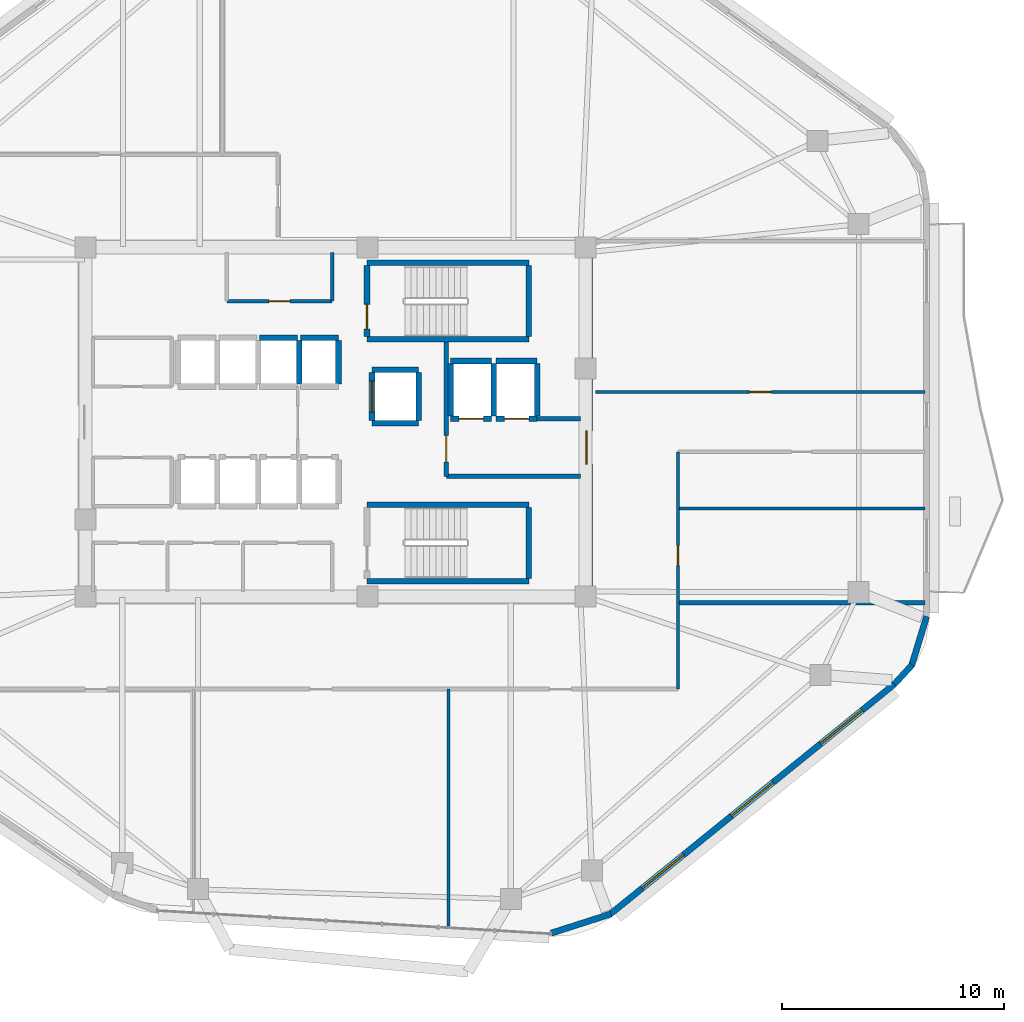
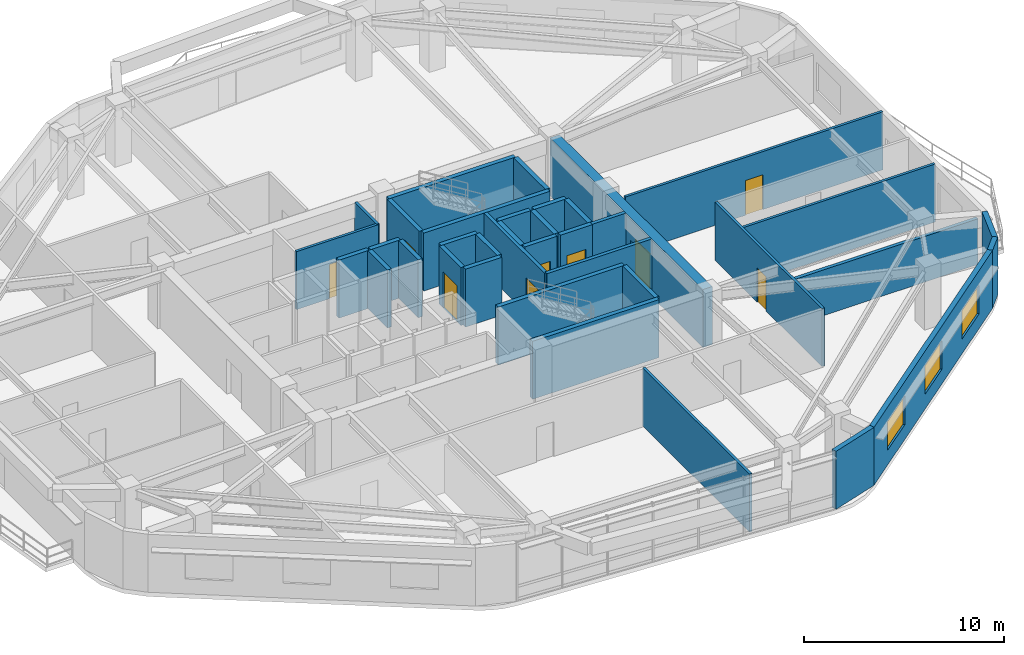
# One storey, part 10 of 14: 37 walls, 9 doors, 3 windows, 12 openings.
"""IFC4 building model written with IfcOpenShell, lengths in metres."""

import ifcopenshell
import ifcopenshell.guid

model = None  # the IFC model being written
_history = None  # IfcOwnerHistory: only IFC2X3 demands one
_inside = {}  # id of a spatial element -> (the spatial element, [elements in it])
_under = {}  # id of a project, library or spatial element -> (it, [spatial elements below it])
_declared = {}  # id of a project -> (the project, [libraries it declares])
_typed = {}  # id of a type object -> (the type object, [elements of that type])
_made_of = {}  # id of a material, layer set ... -> (it, [elements and type objects made of it])


def new_model(schema):
    """Start an empty IFC model of exactly this schema.

    Asked for "IFC4X3", IfcOpenShell would pick the latest addendum, in which some entities
    have other attributes; the version numbers below select the first issue.
    IFC2X3 requires an IfcOwnerHistory on every rooted entity: one is made here for all.
    """
    global model, _history
    if schema == "IFC4X3":
        model = ifcopenshell.file(schema_version=(4, 3, 0, 0))
    else:
        model = ifcopenshell.file(schema=schema)
    _inside.clear()
    _under.clear()
    _declared.clear()
    _typed.clear()
    _made_of.clear()
    _history = None
    if model.schema == "IFC2X3":
        org = make("IfcOrganization", Name="unknown")
        user = make(
            "IfcPersonAndOrganization",
            ThePerson=make("IfcPerson", FamilyName="unknown"),
            TheOrganization=org,
        )
        app = make(
            "IfcApplication",
            ApplicationDeveloper=org,
            Version="unknown",
            ApplicationFullName="unknown",
            ApplicationIdentifier="unknown",
        )
        _history = make(
            "IfcOwnerHistory",
            OwningUser=user,
            OwningApplication=app,
            ChangeAction="ADDED",
            CreationDate=0,
        )
    return model


def make(cls, **values):
    """One entity of the class cls with the attributes given. An attribute that is None is left unset."""
    return model.create_entity(
        cls, **{name: value for name, value in values.items() if value is not None}
    )


def rooted(cls, **values):
    """An entity with a GlobalId (a new one), such as an element, a storey or a relation."""
    return make(cls, GlobalId=ifcopenshell.guid.new(), OwnerHistory=_history, **values)


def si_unit(unit_type, name, prefix=None):
    """IfcSIUnit, for example si_unit("LENGTHUNIT", "METRE", prefix="MILLI")."""
    return make("IfcSIUnit", UnitType=unit_type, Prefix=prefix, Name=name)


def assignment(units):
    """IfcUnitAssignment: the units of a project."""
    return None if units is None else make("IfcUnitAssignment", Units=units)


def point(xyz):
    """IfcCartesianPoint."""
    return None if xyz is None else make("IfcCartesianPoint", Coordinates=xyz)


def direction(xyz):
    """IfcDirection."""
    return None if xyz is None else make("IfcDirection", DirectionRatios=xyz)


def frame(location, z_axis=None, x_axis=None):
    """IfcAxis2Placement3D, a coordinate frame: its origin and axes. An axis left out is left unset."""
    return make(
        "IfcAxis2Placement3D",
        Location=point(location),
        Axis=direction(z_axis),
        RefDirection=direction(x_axis),
    )


def frame_2d(location, x_axis=None):
    """IfcAxis2Placement2D, a coordinate frame in the plane: its origin and x axis."""
    return make(
        "IfcAxis2Placement2D", Location=point(location), RefDirection=direction(x_axis)
    )


def origin():
    """The frame at (0, 0, 0) with its axes left unset."""
    return frame((0.0, 0.0, 0.0))


def place(relative_to, where):
    """IfcLocalPlacement: puts the frame where relative to a parent placement (None: the world)."""
    return make(
        "IfcLocalPlacement", PlacementRelTo=relative_to, RelativePlacement=where
    )


def context(
    kind, dimensions, precision=None, world=None, true_north=None, identifier=None
):
    """IfcGeometricRepresentationContext, for example the 3D "Model" context."""
    return make(
        "IfcGeometricRepresentationContext",
        ContextIdentifier=identifier,
        ContextType=kind,
        CoordinateSpaceDimension=dimensions,
        Precision=precision,
        WorldCoordinateSystem=world,
        TrueNorth=true_north,
    )


def subcontext(parent, identifier, kind, view, scale=None):
    """IfcGeometricRepresentationSubContext, for example "Body" below "Model"."""
    return make(
        "IfcGeometricRepresentationSubContext",
        ContextIdentifier=identifier,
        ContextType=kind,
        ParentContext=parent,
        TargetScale=scale,
        TargetView=view,
    )


def project(units=None, contexts=None):
    """IfcProject with its units and contexts."""
    return rooted(
        "IfcProject",
        Name="project",
        RepresentationContexts=contexts,
        UnitsInContext=assignment(units),
    )


def spatial(cls, under=None, at=None, **own):
    """A site, building, storey or space (cls), placed at a placement, below another one or the project."""
    s = rooted(cls, ObjectPlacement=at, **own)
    if under is not None:
        _under.setdefault(under.id(), (under, []))[1].append(s)
    return s


def profile(cls, at=None, kind="AREA", **sizes):
    """A parametric profile (cls). Its sizes go by their IFC names, for example OverallWidth=200.0."""
    return make(cls, ProfileType=kind, Position=at, **sizes)


def rectangle(**sizes):
    """IfcRectangleProfileDef."""
    return profile("IfcRectangleProfileDef", **sizes)


def extrude(swept, where, along, depth):
    """IfcExtrudedAreaSolid: the profile swept, set in the frame where, extruded along a direction by depth."""
    return make(
        "IfcExtrudedAreaSolid",
        SweptArea=swept,
        Position=where,
        ExtrudedDirection=direction(along),
        Depth=depth,
    )


def shape(context_of_items, identifier, shape_type, items):
    """IfcShapeRepresentation: the items that make up one representation, for example the "Body"."""
    return make(
        "IfcShapeRepresentation",
        ContextOfItems=context_of_items,
        RepresentationIdentifier=identifier,
        RepresentationType=shape_type,
        Items=items,
    )


def material(Name=None, Category=None):
    """IfcMaterial."""
    return make("IfcMaterial", Name=Name, Category=Category)


def layer(
    of_material, thickness, ventilated=None, Name=None, Category=None, Priority=None
):
    """IfcMaterialLayer: one layer of a wall or slab, of a material (None: an air gap)."""
    return make(
        "IfcMaterialLayer",
        Material=of_material,
        LayerThickness=thickness,
        IsVentilated=ventilated,
        Name=Name,
        Category=Category,
        Priority=Priority,
    )


def layer_set(layers, Name=None):
    """IfcMaterialLayerSet."""
    return make("IfcMaterialLayerSet", MaterialLayers=layers, LayerSetName=Name)


def made_of(thing, what):
    """Note that an element or type object is made of a material, layer set ...; save() writes the relation."""
    if what is not None:
        _made_of.setdefault(what.id(), (what, []))[1].append(thing)
    return thing


def type_object(cls, material=None, **own):
    """A type object (cls), such as IfcWallType, which elements share."""
    return made_of(rooted(cls, **own), material)


def element(
    cls,
    number,
    at=None,
    inside=None,
    cuts=None,
    type_object=None,
    material=None,
    context=None,
    identifier="Body",
    shape_type=None,
    held_by="IfcProductDefinitionShape",
    body=None,
    shapes=None,
    **own,
):
    """One element of the class cls, such as IfcWall. Its Tag is "e" and its number.

    at: its placement. inside: the storey or other place that contains it. cuts: it is an
    opening in that element (IfcRelVoidsElement). A single representation is given by context,
    identifier, shape_type and body (its items); several are given by shapes. held_by: the class
    of the entity that holds the representations. save() writes the other relations.
    """
    e = rooted(cls, Tag="e%d" % number, ObjectPlacement=at, **own)
    if body is not None:
        shapes = [shape(context, identifier, shape_type, body)]
    if shapes is not None:
        e.Representation = make(held_by, Representations=shapes)
    if inside is not None:
        _inside.setdefault(inside.id(), (inside, []))[1].append(e)
    if cuts is not None:
        rooted(
            "IfcRelVoidsElement", RelatingBuildingElement=cuts, RelatedOpeningElement=e
        )
    if type_object is not None:
        _typed.setdefault(type_object.id(), (type_object, []))[1].append(e)
    return made_of(e, material)


def fill(opening, filler):
    """IfcRelFillsElement: the door or window that sits in an opening."""
    return rooted(
        "IfcRelFillsElement",
        RelatingOpeningElement=opening,
        RelatedBuildingElement=filler,
    )


def aggregate(whole, parts):
    """IfcRelAggregates: a whole, such as a stair, and the parts it consists of."""
    return rooted("IfcRelAggregates", RelatingObject=whole, RelatedObjects=parts)


def save(model, path):
    """Write the relations noted so far, then the file.

    IfcRelAggregates (storeys below a building ...), IfcRelContainedInSpatialStructure (elements
    in a storey), IfcRelDefinesByType, IfcRelAssociatesMaterial and IfcRelDeclares: one each for
    every whole, place, type object, material and project.
    """
    for whole, parts in _under.values():
        aggregate(whole, parts)
    for where, things in _inside.values():
        rooted(
            "IfcRelContainedInSpatialStructure",
            RelatedElements=things,
            RelatingStructure=where,
        )
    for kind, things in _typed.values():
        rooted("IfcRelDefinesByType", RelatedObjects=things, RelatingType=kind)
    for what, things in _made_of.values():
        rooted("IfcRelAssociatesMaterial", RelatedObjects=things, RelatingMaterial=what)
    for by, libraries in _declared.values():
        rooted("IfcRelDeclares", RelatingContext=by, RelatedDefinitions=libraries)
    model.write(path)


model = new_model("IFC4")

# Units and contexts
model_context = context("Model", 3, precision=1e-05, world=origin(), true_north=direction((0.0, 1.0)))
body_context = subcontext(model_context, "Body", "Model", "MODEL_VIEW")
ifc_project = project(units=[si_unit("LENGTHUNIT", "METRE"), si_unit("AREAUNIT", "SQUARE_METRE"), si_unit("VOLUMEUNIT", "CUBIC_METRE"), si_unit("PLANEANGLEUNIT", "RADIAN"), si_unit("MASSUNIT", "GRAM", prefix="KILO")], contexts=[model_context])

# Site, building, storey
site_placement = place(None, origin())
site = spatial("IfcSite", under=ifc_project, at=site_placement, CompositionType="ELEMENT")
building_placement = place(site_placement, origin())
building = spatial("IfcBuilding", under=site, at=building_placement, Name="Zulverin Broadcast Headquarters", CompositionType="ELEMENT")
storey_placement = place(building_placement, frame((0.0, 0.0, 208.60009765625)))
storey = spatial("IfcBuildingStorey", under=building, at=storey_placement, Name="L53", CompositionType="ELEMENT", Elevation=208.60009765625)

# Wall
ifc_material_1 = material(Name="Acoustic drywall steel stud", Category="steel")
ifc_layer_1 = layer(ifc_material_1, 0.199951171875, Name="Acoustic drywall steel stud", Category="steel")
ifc_layer_set_1 = layer_set([ifc_layer_1], Name="Acoustic drywall steel stud")
wall_type_1 = type_object("IfcWallType", Name="WL-ACOU-200", PredefinedType="PARTITIONING", material=ifc_layer_set_1)
wall_1_placement = place(storey_placement, frame((52.449951171875, 17.050048828125, 0.0), z_axis=(0.0, 0.0, 1.0), x_axis=(1.0, 0.0, 0.0)))
element("IfcWall", 1, at=wall_1_placement, inside=storey, type_object=wall_type_1, Name="L53 Room Partition Wall RP-09", PredefinedType="PARTITIONING", context=body_context, shape_type="SweptSolid", body=[
    extrude(rectangle(XDim=11.14501953125, YDim=0.199951171875, at=frame_2d((5.572509765625, 0.0))), origin(), (0.0, 0.0, 1.0), 2.789794921875),
])

# Wall, opening, door
ifc_material_2 = material(Name="Concrete C60/75", Category="concrete")
ifc_layer_2 = layer(ifc_material_2, 0.550048828125, Name="Concrete C60/75", Category="concrete")
ifc_layer_set_2 = layer_set([ifc_layer_2], Name="Concrete C60/75")
wall_type_2 = type_object("IfcWallType", Name="WL-CORE-550", PredefinedType="SHEAR", material=ifc_layer_set_2)
wall_2_placement = place(storey_placement, frame((48.324951171875, 17.550048828125, 0.0), z_axis=(0.0, 0.0, 1.0), x_axis=(0.0, 1.0, 0.0)))
wall_2 = element("IfcWall", 2, at=wall_2_placement, inside=storey, type_object=wall_type_2, Name="L53 Core East Shear Wall", PredefinedType="SHEAR", context=body_context, shape_type="SweptSolid", body=[
    extrude(rectangle(XDim=15.300048828125, YDim=0.550048828125, at=frame_2d((7.64990234375, 0.0))), origin(), (0.0, 0.0, 1.0), 3.539794921875),
])
opening_1_placement = place(wall_2_placement, frame((5.75, 0.0, 0.0)))
opening_1 = element("IfcOpeningElement", 3, at=opening_1_placement, cuts=wall_2, Name="Opening D-L53-CE1", PredefinedType="OPENING", context=body_context, shape_type="SweptSolid", body=[
    extrude(rectangle(XDim=1.5, YDim=2.14990234375, at=frame_2d((0.75, 1.074951171875))), frame((0.0, 0.284912109375, 0.0), z_axis=(0.0, -1.0, 0.0), x_axis=(1.0, 0.0, 0.0)), (0.0, 0.0, 1.0), 0.570068359375),
])
ifc_material_3 = material(Name="Fire-rated glazed steel frame", Category="steel")
door_type_1 = type_object("IfcDoorType", Name="DR-COR-1500", OperationType="DOUBLE_DOOR_SINGLE_SWING", PredefinedType="DOOR", material=ifc_material_3)
door_1_placement = place(opening_1_placement, origin())
door_1 = element("IfcDoor", 4, at=door_1_placement, inside=storey, type_object=door_type_1, Name="L53 Firefighting Lobby East Corridor Door", OperationType="DOUBLE_DOOR_SINGLE_SWING", OverallHeight=2.14990234375, OverallWidth=1.5, PredefinedType="DOOR", context=body_context, shape_type="SweptSolid", body=[
    extrude(rectangle(XDim=1.5, YDim=2.14990234375, at=frame_2d((0.75, 1.074951171875))), frame((0.0, 0.02490234375, 0.0), z_axis=(0.0, -1.0, 0.0), x_axis=(1.0, 0.0, 0.0)), (0.0, 0.0, 1.0), 0.050048828125),
])
fill(opening_1, door_1)

# Wall, openings, windows
ifc_material_4 = material(Name="Insulated pale-metal clad concrete spandrel C40/50", Category="concrete")
ifc_layer_3 = layer(ifc_material_4, 0.280029296875, Name="Insulated pale-metal clad concrete spandrel C40/50", Category="concrete")
ifc_layer_set_3 = layer_set([ifc_layer_3], Name="Insulated pale-metal clad concrete spandrel C40/50")
wall_type_3 = type_object("IfcWallType", Name="WL-EXT-280", PredefinedType="STANDARD", material=ifc_layer_set_3)
wall_3_placement = place(storey_placement, frame((49.372314453125, 2.98388671875, 0.0), z_axis=(0.0, 0.0, 1.0), x_axis=(0.777278899851, 0.629156190343, 0.0)))
wall_3 = element("IfcWall", 5, at=wall_3_placement, inside=storey, type_object=wall_type_3, Name="L53 Pale-Metal Clad Spandrel Wall 2", PredefinedType="STANDARD", context=body_context, shape_type="SweptSolid", body=[
    extrude(rectangle(XDim=16.5400390625, YDim=0.280029296875, at=frame_2d((8.27001953125, 0.0))), origin(), (0.0, 0.0, 1.0), 3.539794921875),
])
opening_2_placement = place(wall_3_placement, frame((1.889892578125, 0.0, 0.89990234375)))
opening_2 = element("IfcOpeningElement", 6, at=opening_2_placement, cuts=wall_3, Name="Opening W-L53-E21", PredefinedType="OPENING", context=body_context, shape_type="SweptSolid", body=[
    extrude(rectangle(XDim=2.39990234375, YDim=1.75, at=frame_2d((1.199951171875, 0.875))), frame((0.0, 0.14990234375, 0.0), z_axis=(0.0, -1.0, 0.0), x_axis=(1.0, 0.0, 0.0)), (0.0, 0.0, 1.0), 0.300048828125),
])
opening_3_placement = place(wall_3_placement, frame((7.070068359375, 0.0, 0.89990234375)))
opening_3 = element("IfcOpeningElement", 7, at=opening_3_placement, cuts=wall_3, Name="Opening W-L53-E22", PredefinedType="OPENING", context=body_context, shape_type="SweptSolid", body=[
    extrude(rectangle(XDim=2.39990234375, YDim=1.75, at=frame_2d((1.199951171875, 0.875))), frame((0.0, 0.14990234375, 0.0), z_axis=(0.0, -1.0, 0.0), x_axis=(1.0, 0.0, 0.0)), (0.0, 0.0, 1.0), 0.300048828125),
])
opening_4_placement = place(wall_3_placement, frame((12.25, 0.0, 0.89990234375)))
opening_4 = element("IfcOpeningElement", 8, at=opening_4_placement, cuts=wall_3, Name="Opening W-L53-E23", PredefinedType="OPENING", context=body_context, shape_type="SweptSolid", body=[
    extrude(rectangle(XDim=2.39990234375, YDim=1.75, at=frame_2d((1.199951171875, 0.875))), frame((0.0, 0.14990234375, 0.0), z_axis=(0.0, -1.0, 0.0), x_axis=(1.0, 0.0, 0.0)), (0.0, 0.0, 1.0), 0.300048828125),
])
ifc_material_5 = material(Name="Pale anodized aluminium frame with solar-control low-E double glazing", Category="aluminium")
window_type = type_object("IfcWindowType", Name="WIN-RIB-2400", PartitioningType="SINGLE_PANEL", PredefinedType="WINDOW", material=ifc_material_5)
window_1_placement = place(opening_2_placement, origin())
window_1 = element("IfcWindow", 9, at=window_1_placement, inside=storey, type_object=window_type, Name="L53 Ribbon Glazing Window 2 1", OverallHeight=1.75, OverallWidth=2.39990234375, PartitioningType="SINGLE_PANEL", PredefinedType="WINDOW", context=body_context, shape_type="SweptSolid", body=[
    extrude(rectangle(XDim=2.39990234375, YDim=1.75, at=frame_2d((1.199951171875, 0.875))), frame((0.0, 0.030029296875, 0.0), z_axis=(0.0, -1.0, 0.0), x_axis=(1.0, 0.0, 0.0)), (0.0, 0.0, 1.0), 0.06005859375),
])
fill(opening_2, window_1)
window_2_placement = place(opening_3_placement, origin())
window_2 = element("IfcWindow", 10, at=window_2_placement, inside=storey, type_object=window_type, Name="L53 Ribbon Glazing Window 2 2", OverallHeight=1.75, OverallWidth=2.39990234375, PartitioningType="SINGLE_PANEL", PredefinedType="WINDOW", context=body_context, shape_type="SweptSolid", body=[
    extrude(rectangle(XDim=2.39990234375, YDim=1.75, at=frame_2d((1.199951171875, 0.875))), frame((0.0, 0.030029296875, 0.0), z_axis=(0.0, -1.0, 0.0), x_axis=(1.0, 0.0, 0.0)), (0.0, 0.0, 1.0), 0.06005859375),
])
fill(opening_3, window_2)
window_3_placement = place(opening_4_placement, origin())
window_3 = element("IfcWindow", 11, at=window_3_placement, inside=storey, type_object=window_type, Name="L53 Ribbon Glazing Window 2 3", OverallHeight=1.75, OverallWidth=2.39990234375, PartitioningType="SINGLE_PANEL", PredefinedType="WINDOW", context=body_context, shape_type="SweptSolid", body=[
    extrude(rectangle(XDim=2.39990234375, YDim=1.75, at=frame_2d((1.199951171875, 0.875))), frame((0.0, 0.030029296875, 0.0), z_axis=(0.0, -1.0, 0.0), x_axis=(1.0, 0.0, 0.0)), (0.0, 0.0, 1.0), 0.06005859375),
])
fill(opening_4, window_3)

# Walls
wall_4_placement = place(storey_placement, frame((46.72802734375, 2.144287109375, 0.0), z_axis=(0.0, 0.0, 1.0), x_axis=(0.952083394887, 0.305838534493, 0.0)))
element("IfcWall", 12, at=wall_4_placement, inside=storey, type_object=wall_type_3, Name="L53 Wind-Shaped Corner Spandrel Wall 1-1", PredefinedType="STANDARD", context=body_context, shape_type="SweptSolid", body=[
    extrude(rectangle(XDim=2.824951171875, YDim=0.280029296875, at=frame_2d((1.41259765625, 0.0))), origin(), (0.0, 0.0, 1.0), 3.539794921875),
])
wall_5_placement = place(storey_placement, frame((62.21337890625, 13.3759765625, 0.0), z_axis=(0.0, 0.0, 1.0), x_axis=(0.675790054291, 0.737094161232, 0.0)))
element("IfcWall", 13, at=wall_5_placement, inside=storey, type_object=wall_type_3, Name="L53 Wind-Shaped Corner Spandrel Wall 2-1", PredefinedType="STANDARD", context=body_context, shape_type="SweptSolid", body=[
    extrude(rectangle(XDim=1.182861328125, YDim=0.280029296875, at=frame_2d((0.59130859375, 0.0))), origin(), (0.0, 0.0, 1.0), 3.539794921875),
])
wall_6_placement = place(storey_placement, frame((62.98193359375, 14.194091796875, 0.0), z_axis=(0.0, 0.0, 1.0), x_axis=(0.292398811023, 0.956296468315, 0.0)))
element("IfcWall", 14, at=wall_6_placement, inside=storey, type_object=wall_type_3, Name="L53 Wind-Shaped Corner Spandrel Wall 2-2", PredefinedType="STANDARD", context=body_context, shape_type="SweptSolid", body=[
    extrude(rectangle(XDim=2.339599609375, YDim=0.280029296875, at=frame_2d((1.169921875, 0.0))), origin(), (0.0, 0.0, 1.0), 3.539794921875),
])

# Wall, opening, door
ifc_material_6 = material(Name="Concrete C40/50", Category="concrete")
ifc_layer_4 = layer(ifc_material_6, 0.199951171875, Name="Concrete C40/50", Category="concrete")
ifc_layer_set_4 = layer_set([ifc_layer_4], Name="Concrete C40/50")
wall_type_4 = type_object("IfcWallType", Name="WL-FFL-200", PredefinedType="SOLIDWALL", material=ifc_layer_set_4)
wall_7_placement = place(storey_placement, frame((42.0, 22.75, 0.0), z_axis=(0.0, 0.0, 1.0), x_axis=(0.0, 1.0, 0.0)))
wall_7 = element("IfcWall", 15, at=wall_7_placement, inside=storey, type_object=wall_type_4, Name="L53 Firefighting Lift Lobby West Wall", PredefinedType="SOLIDWALL", context=body_context, shape_type="SweptSolid", body=[
    extrude(rectangle(XDim=6.050048828125, YDim=0.199951171875, at=frame_2d((3.02490234375, 0.0))), origin(), (0.0, 0.0, 1.0), 3.539794921875),
])
opening_5_placement = place(wall_7_placement, frame((0.64990234375, 0.0, 0.0)))
opening_5 = element("IfcOpeningElement", 16, at=opening_5_placement, cuts=wall_7, Name="Opening D-L53-FFLW", PredefinedType="OPENING", context=body_context, shape_type="SweptSolid", body=[
    extrude(rectangle(XDim=1.199951171875, YDim=2.14990234375, at=frame_2d((0.60009765625, 1.074951171875))), frame((0.0, 0.10986328125, 0.0), z_axis=(0.0, -1.0, 0.0), x_axis=(1.0, 0.0, 0.0)), (0.0, 0.0, 1.0), 0.219970703125),
])
ifc_material_7 = material(Name="Fire-rated steel leaf and frame", Category="steel")
door_type_2 = type_object("IfcDoorType", Name="DR-FFL-1200", OperationType="SINGLE_SWING_RIGHT", PredefinedType="DOOR", material=ifc_material_7)
door_2_placement = place(opening_5_placement, origin())
door_2 = element("IfcDoor", 17, at=door_2_placement, inside=storey, type_object=door_type_2, Name="L53 Firefighting Lift Lobby Door", OperationType="SINGLE_SWING_RIGHT", OverallHeight=2.14990234375, OverallWidth=1.199951171875, PredefinedType="DOOR", context=body_context, shape_type="SweptSolid", body=[
    extrude(rectangle(XDim=1.199951171875, YDim=2.14990234375, at=frame_2d((0.60009765625, 1.074951171875))), frame((0.0, 0.02490234375, 0.0), z_axis=(0.0, -1.0, 0.0), x_axis=(1.0, 0.0, 0.0)), (0.0, 0.0, 1.0), 0.050048828125),
])
fill(opening_5, door_2)

# Walls
wall_8_placement = place(storey_placement, frame((42.0, 22.75, 0.0), z_axis=(0.0, 0.0, 1.0), x_axis=(1.0, 0.0, 0.0)))
element("IfcWall", 18, at=wall_8_placement, inside=storey, type_object=wall_type_4, Name="L53 Firefighting Lift Lobby South Wall", PredefinedType="SOLIDWALL", context=body_context, shape_type="SweptSolid", body=[
    extrude(rectangle(XDim=6.050048828125, YDim=0.199951171875, at=frame_2d((3.02490234375, 0.0))), origin(), (0.0, 0.0, 1.0), 3.539794921875),
])
wall_9_placement = place(storey_placement, frame((46.10009765625, 25.35009765625, 0.0), z_axis=(0.0, 0.0, 1.0), x_axis=(1.0, 0.0, 0.0)))
element("IfcWall", 19, at=wall_9_placement, inside=storey, type_object=wall_type_4, Name="L53 Firefighting Lift Lobby North Wall", PredefinedType="SOLIDWALL", context=body_context, shape_type="SweptSolid", body=[
    extrude(rectangle(XDim=1.949951171875, YDim=0.199951171875, at=frame_2d((0.97509765625, 0.0))), origin(), (0.0, 0.0, 1.0), 3.539794921875),
])

# Wall, opening, door
ifc_material_8 = material(Name="Fire-rated gypsum stud partition", Category="gypsum")
ifc_layer_5 = layer(ifc_material_8, 0.14990234375, Name="Fire-rated gypsum stud partition", Category="gypsum")
ifc_layer_set_5 = layer_set([ifc_layer_5], Name="Fire-rated gypsum stud partition")
wall_type_5 = type_object("IfcWallType", Name="WL-PART-150", PredefinedType="PARTITIONING", material=ifc_layer_set_5)
wall_10_placement = place(storey_placement, frame((32.10009765625, 30.64990234375, 0.0), z_axis=(0.0, 0.0, 1.0), x_axis=(1.0, 0.0, 0.0)))
wall_10 = element("IfcWall", 20, at=wall_10_placement, inside=storey, type_object=wall_type_5, Name="L53 Core Accessible WC & Electrical Riser Front Wall", PredefinedType="PARTITIONING", context=body_context, shape_type="SweptSolid", body=[
    extrude(rectangle(XDim=4.75, YDim=0.14990234375, at=frame_2d((2.375, 0.0))), origin(), (0.0, 0.0, 1.0), 3.539794921875),
])
opening_6_placement = place(wall_10_placement, frame((1.89990234375, 0.0, 0.0)))
opening_6 = element("IfcOpeningElement", 21, at=opening_6_placement, cuts=wall_10, Name="Opening D-L53-NC1", PredefinedType="OPENING", context=body_context, shape_type="SweptSolid", body=[
    extrude(rectangle(XDim=0.949951171875, YDim=2.10009765625, at=frame_2d((0.47509765625, 1.050048828125))), frame((0.0, 0.0849609375, 0.0), z_axis=(0.0, -1.0, 0.0), x_axis=(1.0, 0.0, 0.0)), (0.0, 0.0, 1.0), 0.169921875),
])
ifc_material_9 = material(Name="Fire-rated moisture-resistant laminate leaf", Category="wood")
door_type_3 = type_object("IfcDoorType", Name="DR-WC-950", OperationType="SINGLE_SWING_LEFT", PredefinedType="DOOR", material=ifc_material_9)
door_3_placement = place(opening_6_placement, origin())
door_3 = element("IfcDoor", 22, at=door_3_placement, inside=storey, type_object=door_type_3, Name="L53 Accessible WC & Electrical Riser Door", OperationType="SINGLE_SWING_LEFT", OverallHeight=2.10009765625, OverallWidth=0.949951171875, PredefinedType="DOOR", context=body_context, shape_type="SweptSolid", body=[
    extrude(rectangle(XDim=0.949951171875, YDim=2.10009765625, at=frame_2d((0.47509765625, 1.050048828125))), frame((0.0, 0.02490234375, 0.0), z_axis=(0.0, -1.0, 0.0), x_axis=(1.0, 0.0, 0.0)), (0.0, 0.0, 1.0), 0.050048828125),
])
fill(opening_6, door_3)

# Wall
wall_11_placement = place(storey_placement, frame((36.85009765625, 30.64990234375, 0.0), z_axis=(0.0, 0.0, 1.0), x_axis=(0.0, 1.0, 0.0)))
element("IfcWall", 23, at=wall_11_placement, inside=storey, type_object=wall_type_5, Name="L53 Core Accessible WC & Electrical Riser East Wall", PredefinedType="PARTITIONING", context=body_context, shape_type="SweptSolid", body=[
    extrude(rectangle(XDim=2.2001953125, YDim=0.14990234375, at=frame_2d((1.10009765625, 0.0))), origin(), (0.0, 0.0, 1.0), 3.539794921875),
])

# Wall, opening, door
wall_12_placement = place(storey_placement, frame((52.449951171875, 13.14990234375, 0.0), z_axis=(0.0, 0.0, 1.0), x_axis=(0.0, 1.0, 0.0)))
wall_12 = element("IfcWall", 24, at=wall_12_placement, inside=storey, type_object=wall_type_5, Name="L53 Gallery Partition Wall CG-01", PredefinedType="PARTITIONING", context=body_context, shape_type="SweptSolid", body=[
    extrude(rectangle(XDim=10.7001953125, YDim=0.14990234375, at=frame_2d((5.35009765625, 0.0))), origin(), (0.0, 0.0, 1.0), 3.539794921875),
])
opening_7_placement = place(wall_12_placement, frame((5.574951171875, 0.0, 0.0)))
opening_7 = element("IfcOpeningElement", 25, at=opening_7_placement, cuts=wall_12, Name="Opening D-L53-10", PredefinedType="OPENING", context=body_context, shape_type="SweptSolid", body=[
    extrude(rectangle(XDim=0.89990234375, YDim=2.10009765625, at=frame_2d((0.449951171875, 1.050048828125))), frame((0.0, 0.0849609375, 0.0), z_axis=(0.0, -1.0, 0.0), x_axis=(1.0, 0.0, 0.0)), (0.0, 0.0, 1.0), 0.169921875),
])
ifc_material_10 = material(Name="Fire-rated hardwood veneer timber leaf", Category="wood")
door_type_4 = type_object("IfcDoorType", Name="DR-ROOM-900", OperationType="SINGLE_SWING_RIGHT", PredefinedType="DOOR", material=ifc_material_10)
door_4_placement = place(opening_7_placement, origin())
door_4 = element("IfcDoor", 26, at=door_4_placement, inside=storey, type_object=door_type_4, Name="L53 Reference Library Door", OperationType="SINGLE_SWING_LEFT", OverallHeight=2.10009765625, OverallWidth=0.89990234375, PredefinedType="DOOR", context=body_context, shape_type="SweptSolid", body=[
    extrude(rectangle(XDim=0.89990234375, YDim=2.10009765625, at=frame_2d((0.449951171875, 1.050048828125))), frame((0.0, 0.02490234375, 0.0), z_axis=(0.0, -1.0, 0.0), x_axis=(1.0, 0.0, 0.0)), (0.0, 0.0, 1.0), 0.050048828125),
])
fill(opening_7, door_4)

# Walls
wall_13_placement = place(storey_placement, frame((42.10009765625, 2.467041015625, 0.0), z_axis=(0.0, 0.0, 1.0), x_axis=(0.0, 1.0, 0.0)))
element("IfcWall", 27, at=wall_13_placement, inside=storey, type_object=wall_type_5, Name="L53 Room Partition Wall RP-02", PredefinedType="PARTITIONING", context=body_context, shape_type="SweptSolid", body=[
    extrude(rectangle(XDim=10.682861328125, YDim=0.14990234375, at=frame_2d((5.34130859375, 0.0))), origin(), (0.0, 0.0, 1.0), 3.539794921875),
])
wall_14_placement = place(storey_placement, frame((52.449951171875, 21.300048828125, 0.0), z_axis=(0.0, 0.0, 1.0), x_axis=(1.0, 0.0, 0.0)))
element("IfcWall", 28, at=wall_14_placement, inside=storey, type_object=wall_type_5, Name="L53 Room Partition Wall RP-11", PredefinedType="PARTITIONING", context=body_context, shape_type="SweptSolid", body=[
    extrude(rectangle(XDim=11.14501953125, YDim=0.14990234375, at=frame_2d((5.572509765625, 0.0))), origin(), (0.0, 0.0, 1.0), 3.539794921875),
])

# Wall, opening, door
wall_15_placement = place(storey_placement, frame((48.739990234375, 26.550048828125, 0.0), z_axis=(0.0, 0.0, 1.0), x_axis=(1.0, 0.0, 0.0)))
wall_15 = element("IfcWall", 29, at=wall_15_placement, inside=storey, type_object=wall_type_5, Name="L53 Gallery Partition Wall CG-15", PredefinedType="PARTITIONING", context=body_context, shape_type="SweptSolid", body=[
    extrude(rectangle(XDim=14.85498046875, YDim=0.14990234375, at=frame_2d((7.427490234375, 0.0))), origin(), (0.0, 0.0, 1.0), 3.539794921875),
])
opening_8_placement = place(wall_15_placement, frame((6.927490234375, 0.0, 0.0)))
opening_8 = element("IfcOpeningElement", 30, at=opening_8_placement, cuts=wall_15, Name="Opening D-L53-12", PredefinedType="OPENING", context=body_context, shape_type="SweptSolid", body=[
    extrude(rectangle(XDim=1.0, YDim=2.1201171875, at=frame_2d((0.5, 1.06005859375))), frame((0.0, 0.0849609375, 0.0), z_axis=(0.0, -1.0, 0.0), x_axis=(1.0, 0.0, 0.0)), (0.0, 0.0, 1.0), 0.169921875),
])
ifc_material_11 = material(Name="Hardwood veneer acoustic leaf", Category="wood")
door_type_5 = type_object("IfcDoorType", Name="DR-OFF-1000", OperationType="SINGLE_SWING_LEFT", PredefinedType="DOOR", material=ifc_material_11)
door_5_placement = place(opening_8_placement, origin())
door_5 = element("IfcDoor", 31, at=door_5_placement, inside=storey, type_object=door_type_5, Name="L53 Regional Languages Office Door", OperationType="SINGLE_SWING_LEFT", OverallHeight=2.1201171875, OverallWidth=1.0, PredefinedType="DOOR", context=body_context, shape_type="SweptSolid", body=[
    extrude(rectangle(XDim=1.0, YDim=2.1201171875, at=frame_2d((0.5, 1.06005859375))), frame((0.0, 0.02490234375, 0.0), z_axis=(0.0, -1.0, 0.0), x_axis=(1.0, 0.0, 0.0)), (0.0, 0.0, 1.0), 0.050048828125),
])
fill(opening_8, door_5)

# Walls
ifc_material_12 = material(Name="Concrete C50/60", Category="concrete")
ifc_layer_6 = layer(ifc_material_12, 0.25, Name="Concrete C50/60", Category="concrete")
ifc_layer_set_6 = layer_set([ifc_layer_6], Name="Concrete C50/60")
wall_type_6 = type_object("IfcWallType", Name="WL-SHAFT-250", PredefinedType="SHEAR", material=ifc_layer_set_6)
for number, where, z_axis, x_axis, name in (
    (32, (38.425048828125, 28.925048828125, 0.0), (0.0, 0.0, 1.0), (1.0, 0.0, 0.0), "L53 ST-1 Enclosure Wall S"),
    (33, (38.425048828125, 32.375, 0.0), (0.0, 0.0, 1.0), (1.0, 0.0, 0.0), "L53 ST-1 Enclosure Wall N"),
):
    element("IfcWall", number, at=place(storey_placement, frame(where, z_axis=z_axis, x_axis=x_axis)), inside=storey, type_object=wall_type_6, Name=name, PredefinedType="SHEAR", context=body_context, shape_type="SweptSolid", body=[
        extrude(rectangle(XDim=7.300048828125, YDim=0.25, at=frame_2d((3.64990234375, 0.0))), origin(), (0.0, 0.0, 1.0), 3.539794921875),
    ])

# Wall, opening, door
wall_16_placement = place(storey_placement, frame((38.425048828125, 29.050048828125, 0.0), z_axis=(0.0, 0.0, 1.0), x_axis=(0.0, 1.0, 0.0)))
wall_16 = element("IfcWall", 34, at=wall_16_placement, inside=storey, type_object=wall_type_6, Name="L53 ST-1 Enclosure Wall W", PredefinedType="SHEAR", context=body_context, shape_type="SweptSolid", body=[
    extrude(rectangle(XDim=3.199951171875, YDim=0.25, at=frame_2d((1.60009765625, 0.0))), origin(), (0.0, 0.0, 1.0), 3.539794921875),
])
opening_9_placement = place(wall_16_placement, frame((0.35009765625, 0.0, 0.0)))
opening_9 = element("IfcOpeningElement", 35, at=opening_9_placement, cuts=wall_16, Name="Opening D-L53-ST-1", PredefinedType="OPENING", context=body_context, shape_type="SweptSolid", body=[
    extrude(rectangle(XDim=1.10009765625, YDim=2.14990234375, at=frame_2d((0.550048828125, 1.074951171875))), frame((0.0, 0.135009765625, 0.0), z_axis=(0.0, -1.0, 0.0), x_axis=(1.0, 0.0, 0.0)), (0.0, 0.0, 1.0), 0.27001953125),
])
door_type_6 = type_object("IfcDoorType", Name="DR-STAIR-1100", OperationType="SINGLE_SWING_LEFT", PredefinedType="DOOR", material=ifc_material_7)
door_6_placement = place(opening_9_placement, origin())
door_6 = element("IfcDoor", 36, at=door_6_placement, inside=storey, type_object=door_type_6, Name="L53 Exit Stair ST-1 Fire Door", OperationType="SINGLE_SWING_LEFT", OverallHeight=2.14990234375, OverallWidth=1.10009765625, PredefinedType="DOOR", context=body_context, shape_type="SweptSolid", body=[
    extrude(rectangle(XDim=1.10009765625, YDim=2.14990234375, at=frame_2d((0.550048828125, 1.074951171875))), frame((0.0, 0.02490234375, 0.0), z_axis=(0.0, -1.0, 0.0), x_axis=(1.0, 0.0, 0.0)), (0.0, 0.0, 1.0), 0.050048828125),
])
fill(opening_9, door_6)

# Walls
wall_17_placement = place(storey_placement, frame((45.72509765625, 29.050048828125, 0.0), z_axis=(0.0, 0.0, 1.0), x_axis=(0.0, 1.0, 0.0)))
element("IfcWall", 37, at=wall_17_placement, inside=storey, type_object=wall_type_6, Name="L53 ST-1 Enclosure Wall E", PredefinedType="SHEAR", context=body_context, shape_type="SweptSolid", body=[
    extrude(rectangle(XDim=3.199951171875, YDim=0.25, at=frame_2d((1.60009765625, 0.0))), origin(), (0.0, 0.0, 1.0), 3.539794921875),
])
for number, where, z_axis, x_axis, name in (
    (38, (38.425048828125, 18.02490234375, 0.0), (0.0, 0.0, 1.0), (1.0, 0.0, 0.0), "L53 ST-2 Enclosure Wall S"),
    (39, (38.425048828125, 21.47509765625, 0.0), (0.0, 0.0, 1.0), (1.0, 0.0, 0.0), "L53 ST-2 Enclosure Wall N"),
):
    element("IfcWall", number, at=place(storey_placement, frame(where, z_axis=z_axis, x_axis=x_axis)), inside=storey, type_object=wall_type_6, Name=name, PredefinedType="SHEAR", context=body_context, shape_type="SweptSolid", body=[
        extrude(rectangle(XDim=7.300048828125, YDim=0.25, at=frame_2d((3.64990234375, 0.0))), origin(), (0.0, 0.0, 1.0), 3.539794921875),
    ])
wall_18_placement = place(storey_placement, frame((45.72509765625, 18.14990234375, 0.0), z_axis=(0.0, 0.0, 1.0), x_axis=(0.0, 1.0, 0.0)))
element("IfcWall", 40, at=wall_18_placement, inside=storey, type_object=wall_type_6, Name="L53 ST-2 Enclosure Wall E", PredefinedType="SHEAR", context=body_context, shape_type="SweptSolid", body=[
    extrude(rectangle(XDim=3.2001953125, YDim=0.25, at=frame_2d((1.60009765625, 0.0))), origin(), (0.0, 0.0, 1.0), 3.539794921875),
])
wall_19_placement = place(storey_placement, frame((33.580078125, 29.0, 0.0), z_axis=(0.0, 0.0, 1.0), x_axis=(1.0, 0.0, 0.0)))
element("IfcWall", 41, at=wall_19_placement, inside=storey, type_object=wall_type_6, Name="L53 Lift PL-H3 Shaft Wall N", PredefinedType="SHEAR", context=body_context, shape_type="SweptSolid", body=[
    extrude(rectangle(XDim=1.719970703125, YDim=0.25, at=frame_2d((0.85986328125, 0.0))), origin(), (0.0, 0.0, 1.0), 3.539794921875),
])
wall_20_placement = place(storey_placement, frame((35.360107421875, 26.919921875, 0.0), z_axis=(0.0, 0.0, 1.0), x_axis=(0.0, 1.0, 0.0)))
element("IfcWall", 42, at=wall_20_placement, inside=storey, type_object=wall_type_6, Name="L53 Lift PL-H3 Shaft Wall E", PredefinedType="SHEAR", context=body_context, shape_type="SweptSolid", body=[
    extrude(rectangle(XDim=1.9599609375, YDim=0.25, at=frame_2d((0.97998046875, 0.0))), origin(), (0.0, 0.0, 1.0), 3.539794921875),
])
wall_21_placement = place(storey_placement, frame((35.419921875, 29.0, 0.0), z_axis=(0.0, 0.0, 1.0), x_axis=(1.0, 0.0, 0.0)))
element("IfcWall", 43, at=wall_21_placement, inside=storey, type_object=wall_type_6, Name="L53 Lift PL-H4 Shaft Wall N", PredefinedType="SHEAR", context=body_context, shape_type="SweptSolid", body=[
    extrude(rectangle(XDim=1.719970703125, YDim=0.25, at=frame_2d((0.85986328125, 0.0))), origin(), (0.0, 0.0, 1.0), 3.539794921875),
])
wall_22_placement = place(storey_placement, frame((37.139892578125, 26.919921875, 0.0), z_axis=(0.0, 0.0, 1.0), x_axis=(0.0, 1.0, 0.0)))
element("IfcWall", 44, at=wall_22_placement, inside=storey, type_object=wall_type_6, Name="L53 Lift PL-H4 Shaft Wall E", PredefinedType="SHEAR", context=body_context, shape_type="SweptSolid", body=[
    extrude(rectangle(XDim=1.9599609375, YDim=0.25, at=frame_2d((0.97998046875, 0.0))), origin(), (0.0, 0.0, 1.0), 3.539794921875),
])

# Wall, opening, door
wall_23_placement = place(storey_placement, frame((42.199951171875, 25.35009765625, 0.0), z_axis=(0.0, 0.0, 1.0), x_axis=(1.0, 0.0, 0.0)))
wall_23 = element("IfcWall", 45, at=wall_23_placement, inside=storey, type_object=wall_type_6, Name="L53 Lift FFL-1 Shaft Wall S", PredefinedType="SHEAR", context=body_context, shape_type="SweptSolid", body=[
    extrude(rectangle(XDim=1.85009765625, YDim=0.25, at=frame_2d((0.925048828125, 0.0))), origin(), (0.0, 0.0, 1.0), 3.539794921875),
])
opening_10_placement = place(wall_23_placement, frame((0.375, 0.0, 0.0)))
opening_10 = element("IfcOpeningElement", 46, at=opening_10_placement, cuts=wall_23, Name="Opening LD-FFL-1-L53", PredefinedType="OPENING", context=body_context, shape_type="SweptSolid", body=[
    extrude(rectangle(XDim=1.10009765625, YDim=2.14990234375, at=frame_2d((0.550048828125, 1.074951171875))), frame((0.0, 0.135009765625, 0.0), z_axis=(0.0, -1.0, 0.0), x_axis=(1.0, 0.0, 0.0)), (0.0, 0.0, 1.0), 0.27001953125),
])
ifc_material_13 = material(Name="Fire-rated stainless landing door", Category="steel")
door_type_7 = type_object("IfcDoorType", Name="LD-FFL-1100", OperationType="DOUBLE_DOOR_SLIDING", PredefinedType="DOOR", material=ifc_material_13)
door_7_placement = place(opening_10_placement, origin())
door_7 = element("IfcDoor", 47, at=door_7_placement, inside=storey, type_object=door_type_7, Name="L53 Lift FFL-1 Sliding Landing Door", OperationType="DOUBLE_DOOR_SLIDING", OverallHeight=2.14990234375, OverallWidth=1.10009765625, PredefinedType="DOOR", context=body_context, shape_type="SweptSolid", body=[
    extrude(rectangle(XDim=1.10009765625, YDim=2.14990234375, at=frame_2d((0.550048828125, 1.074951171875))), frame((0.0, 0.02490234375, 0.0), z_axis=(0.0, -1.0, 0.0), x_axis=(1.0, 0.0, 0.0)), (0.0, 0.0, 1.0), 0.050048828125),
])
fill(opening_10, door_7)

# Walls
wall_24_placement = place(storey_placement, frame((42.199951171875, 27.949951171875, 0.0), z_axis=(0.0, 0.0, 1.0), x_axis=(1.0, 0.0, 0.0)))
element("IfcWall", 48, at=wall_24_placement, inside=storey, type_object=wall_type_6, Name="L53 Lift FFL-1 Shaft Wall N", PredefinedType="SHEAR", context=body_context, shape_type="SweptSolid", body=[
    extrude(rectangle(XDim=1.85009765625, YDim=0.25, at=frame_2d((0.925048828125, 0.0))), origin(), (0.0, 0.0, 1.0), 3.539794921875),
])
for number, where, z_axis, x_axis, name in (
    (49, (42.199951171875, 25.469970703125, 0.0), (0.0, 0.0, 1.0), (0.0, 1.0, 0.0), "L53 Lift FFL-1 Shaft Wall W"),
    (50, (44.14990234375, 25.469970703125, 0.0), (0.0, 0.0, 1.0), (0.0, 1.0, 0.0), "L53 Lift FFL-1 Shaft Wall E"),
):
    element("IfcWall", number, at=place(storey_placement, frame(where, z_axis=z_axis, x_axis=x_axis)), inside=storey, type_object=wall_type_6, Name=name, PredefinedType="SHEAR", context=body_context, shape_type="SweptSolid", body=[
        extrude(rectangle(XDim=2.360107421875, YDim=0.25, at=frame_2d((1.18017578125, 0.0))), origin(), (0.0, 0.0, 1.0), 3.539794921875),
    ])

# Wall, opening, door
wall_25_placement = place(storey_placement, frame((44.25, 25.35009765625, 0.0), z_axis=(0.0, 0.0, 1.0), x_axis=(1.0, 0.0, 0.0)))
wall_25 = element("IfcWall", 51, at=wall_25_placement, inside=storey, type_object=wall_type_6, Name="L53 Lift FFL-2 Shaft Wall S", PredefinedType="SHEAR", context=body_context, shape_type="SweptSolid", body=[
    extrude(rectangle(XDim=1.85009765625, YDim=0.25, at=frame_2d((0.925048828125, 0.0))), origin(), (0.0, 0.0, 1.0), 3.539794921875),
])
opening_11_placement = place(wall_25_placement, frame((0.375, 0.0, 0.0)))
opening_11 = element("IfcOpeningElement", 52, at=opening_11_placement, cuts=wall_25, Name="Opening LD-FFL-2-L53", PredefinedType="OPENING", context=body_context, shape_type="SweptSolid", body=[
    extrude(rectangle(XDim=1.10009765625, YDim=2.14990234375, at=frame_2d((0.550048828125, 1.074951171875))), frame((0.0, 0.135009765625, 0.0), z_axis=(0.0, -1.0, 0.0), x_axis=(1.0, 0.0, 0.0)), (0.0, 0.0, 1.0), 0.27001953125),
])
door_8_placement = place(opening_11_placement, origin())
door_8 = element("IfcDoor", 53, at=door_8_placement, inside=storey, type_object=door_type_7, Name="L53 Lift FFL-2 Sliding Landing Door", OperationType="DOUBLE_DOOR_SLIDING", OverallHeight=2.14990234375, OverallWidth=1.10009765625, PredefinedType="DOOR", context=body_context, shape_type="SweptSolid", body=[
    extrude(rectangle(XDim=1.10009765625, YDim=2.14990234375, at=frame_2d((0.550048828125, 1.074951171875))), frame((0.0, 0.02490234375, 0.0), z_axis=(0.0, -1.0, 0.0), x_axis=(1.0, 0.0, 0.0)), (0.0, 0.0, 1.0), 0.050048828125),
])
fill(opening_11, door_8)

# Walls
wall_26_placement = place(storey_placement, frame((44.25, 27.949951171875, 0.0), z_axis=(0.0, 0.0, 1.0), x_axis=(1.0, 0.0, 0.0)))
element("IfcWall", 54, at=wall_26_placement, inside=storey, type_object=wall_type_6, Name="L53 Lift FFL-2 Shaft Wall N", PredefinedType="SHEAR", context=body_context, shape_type="SweptSolid", body=[
    extrude(rectangle(XDim=1.85009765625, YDim=0.25, at=frame_2d((0.925048828125, 0.0))), origin(), (0.0, 0.0, 1.0), 3.539794921875),
])
wall_27_placement = place(storey_placement, frame((46.10009765625, 25.469970703125, 0.0), z_axis=(0.0, 0.0, 1.0), x_axis=(0.0, 1.0, 0.0)))
element("IfcWall", 55, at=wall_27_placement, inside=storey, type_object=wall_type_6, Name="L53 Lift FFL-2 Shaft Wall E", PredefinedType="SHEAR", context=body_context, shape_type="SweptSolid", body=[
    extrude(rectangle(XDim=2.360107421875, YDim=0.25, at=frame_2d((1.18017578125, 0.0))), origin(), (0.0, 0.0, 1.0), 3.539794921875),
])
for number, where, z_axis, x_axis, name in (
    (56, (38.64990234375, 25.14990234375, 0.0), (0.0, 0.0, 1.0), (1.0, 0.0, 0.0), "L53 Lift SVL-1 Shaft Wall S"),
    (57, (38.64990234375, 27.550048828125, 0.0), (0.0, 0.0, 1.0), (1.0, 0.0, 0.0), "L53 Lift SVL-1 Shaft Wall N"),
):
    element("IfcWall", number, at=place(storey_placement, frame(where, z_axis=z_axis, x_axis=x_axis)), inside=storey, type_object=wall_type_6, Name=name, PredefinedType="SHEAR", context=body_context, shape_type="SweptSolid", body=[
        extrude(rectangle(XDim=2.10009765625, YDim=0.25, at=frame_2d((1.050048828125, 0.0))), origin(), (0.0, 0.0, 1.0), 3.539794921875),
    ])

# Wall, opening, door
wall_28_placement = place(storey_placement, frame((38.64990234375, 25.27001953125, 0.0), z_axis=(0.0, 0.0, 1.0), x_axis=(0.0, 1.0, 0.0)))
wall_28 = element("IfcWall", 58, at=wall_28_placement, inside=storey, type_object=wall_type_6, Name="L53 Lift SVL-1 Shaft Wall W", PredefinedType="SHEAR", context=body_context, shape_type="SweptSolid", body=[
    extrude(rectangle(XDim=2.159912109375, YDim=0.25, at=frame_2d((1.080078125, 0.0))), origin(), (0.0, 0.0, 1.0), 3.539794921875),
])
opening_12_placement = place(wall_28_placement, frame((0.3798828125, 0.0, 0.0)))
opening_12 = element("IfcOpeningElement", 59, at=opening_12_placement, cuts=wall_28, Name="Opening LD-SVL-1-L53", PredefinedType="OPENING", context=body_context, shape_type="SweptSolid", body=[
    extrude(rectangle(XDim=1.39990234375, YDim=2.199951171875, at=frame_2d((0.699951171875, 1.10009765625))), frame((0.0, 0.135009765625, 0.0), z_axis=(0.0, -1.0, 0.0), x_axis=(1.0, 0.0, 0.0)), (0.0, 0.0, 1.0), 0.27001953125),
])
ifc_material_14 = material(Name="Heavy-duty stainless landing door", Category="steel")
door_type_8 = type_object("IfcDoorType", Name="LD-GOODS-1400", OperationType="DOUBLE_DOOR_SLIDING", PredefinedType="DOOR", material=ifc_material_14)
door_9_placement = place(opening_12_placement, origin())
door_9 = element("IfcDoor", 60, at=door_9_placement, inside=storey, type_object=door_type_8, Name="L53 Lift SVL-1 Sliding Landing Door", OperationType="DOUBLE_DOOR_SLIDING", OverallHeight=2.199951171875, OverallWidth=1.39990234375, PredefinedType="DOOR", context=body_context, shape_type="SweptSolid", body=[
    extrude(rectangle(XDim=1.39990234375, YDim=2.199951171875, at=frame_2d((0.699951171875, 1.10009765625))), frame((0.0, 0.02490234375, 0.0), z_axis=(0.0, -1.0, 0.0), x_axis=(1.0, 0.0, 0.0)), (0.0, 0.0, 1.0), 0.050048828125),
])
fill(opening_12, door_9)

# Wall
wall_29_placement = place(storey_placement, frame((40.75, 25.27001953125, 0.0), z_axis=(0.0, 0.0, 1.0), x_axis=(0.0, 1.0, 0.0)))
element("IfcWall", 61, at=wall_29_placement, inside=storey, type_object=wall_type_6, Name="L53 Lift SVL-1 Shaft Wall E", PredefinedType="SHEAR", context=body_context, shape_type="SweptSolid", body=[
    extrude(rectangle(XDim=2.159912109375, YDim=0.25, at=frame_2d((1.080078125, 0.0))), origin(), (0.0, 0.0, 1.0), 3.539794921875),
])

save(model, "model.ifc")
